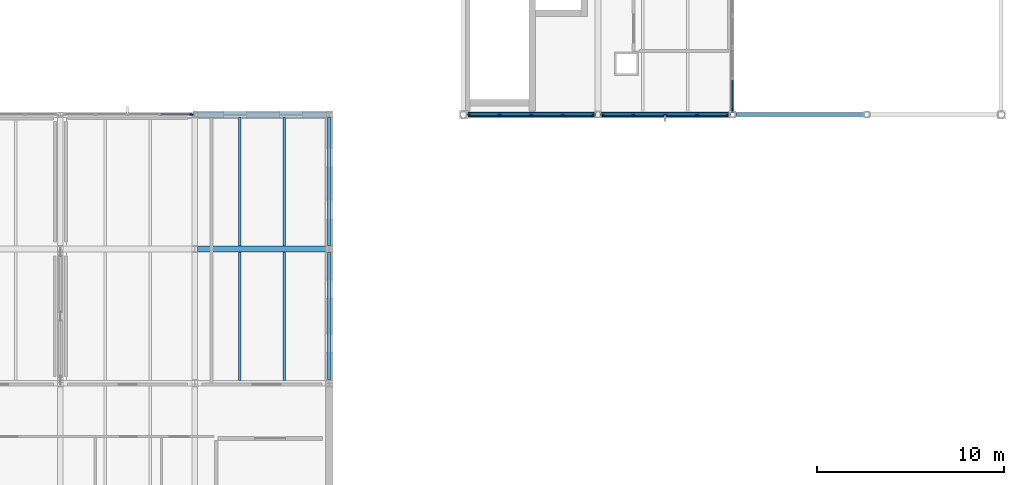
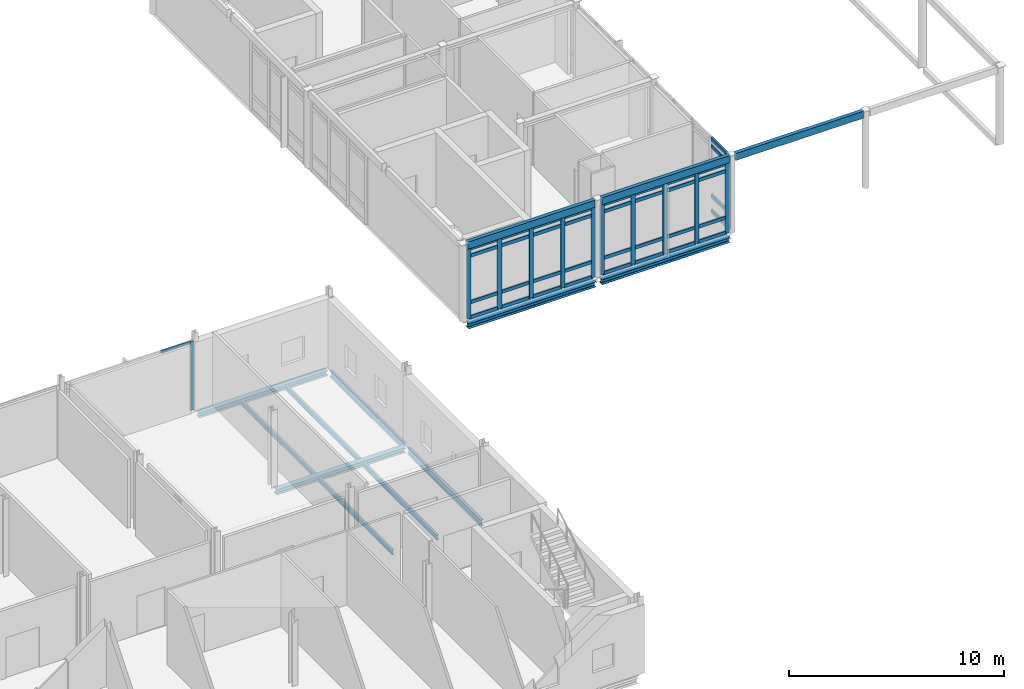
# One storey, part 23 of 72: 49 members, 13 beams, 4 elements without a shape of their own.
"""IFC4 building model written with IfcOpenShell, lengths in metres."""

from ifc_helpers import new_model, si_unit, direction, frame, origin, origin_2d, place, context, subcontext, project, spatial, rectangle, hollow_rectangle, i_section, extrude, material, layer, layer_set, material_profile, profile_set, type_object, element, aggregate, save


model = new_model("IFC4")

# Units and contexts
model_context = context("Model", 3, precision=1e-05, world=origin(), true_north=direction((0.0, 1.0)))
body_context = subcontext(model_context, "Body", "Model", "MODEL_VIEW")
ifc_project = project(units=[si_unit("LENGTHUNIT", "METRE"), si_unit("AREAUNIT", "SQUARE_METRE"), si_unit("VOLUMEUNIT", "CUBIC_METRE"), si_unit("PLANEANGLEUNIT", "RADIAN"), si_unit("MASSUNIT", "GRAM", prefix="KILO")], contexts=[model_context])

# Site, building, storey
site_placement = place(None, origin())
site = spatial("IfcSite", under=ifc_project, at=site_placement, CompositionType="ELEMENT")
building_placement = place(site_placement, origin())
building = spatial("IfcBuilding", under=site, at=building_placement, Name="Zarrinpeak Specialist Clinic", CompositionType="ELEMENT")
storey_placement = place(building_placement, frame((0.0, 0.0, 9.60009765625)))
storey = spatial("IfcBuildingStorey", under=building, at=storey_placement, Name="L02", CompositionType="ELEMENT", Elevation=9.60009765625)

# Beams
ifc_material_1 = material(Name="Steel S355", Category="steel")
ifc_material_profile_1 = material_profile(ifc_material_1, i_section(OverallWidth=0.300048828125, OverallDepth=0.2900390625, WebThickness=0.008544921875, FlangeThickness=0.013916015625, FilletRadius=0.027099609375, at=origin_2d()), Name="HEA 300")
ifc_profile_set_1 = profile_set([ifc_material_profile_1], Name="Steel S355")
beam_type_1 = type_object("IfcBeamType", Name="BM-HEA300", PredefinedType="BEAM", material=ifc_profile_set_1)
for number, where, z_axis, x_axis, name in (
    (1, (79.347900390625, 21.60009765625, -0.360107421875), (1.0, 0.0, 0.0), (0.0, 1.0, 0.0), "L02 Primary Floor Girder BM-L02-X1146"),
    (2, (79.347900390625, 28.800048828125, -0.360107421875), (1.0, 0.0, 0.0), (0.0, 1.0, 0.0), "L02 Primary Floor Girder BM-L02-X1158"),
):
    element("IfcBeam", number, at=place(storey_placement, frame(where, z_axis=z_axis, x_axis=x_axis)), inside=storey, type_object=beam_type_1, Name=name, PredefinedType="BEAM", context=body_context, shape_type="SweptSolid", body=[
        extrude(i_section(OverallWidth=0.300048828125, OverallDepth=0.2900390625, WebThickness=0.008544921875, FlangeThickness=0.013916015625, FilletRadius=0.027099609375, at=origin_2d()), origin(), (0.0, 0.0, 1.0), 6.904052734375),
    ])
beam_1_placement = place(storey_placement, frame((93.80126953125, 28.800048828125, -0.360107421875), z_axis=(1.0, 0.0, 0.0), x_axis=(0.0, 1.0, 0.0)))
element("IfcBeam", 3, at=beam_1_placement, inside=storey, type_object=beam_type_1, Name="L02 Primary Floor Girder BM-L02-X1159", PredefinedType="BEAM", context=body_context, shape_type="SweptSolid", body=[
    extrude(i_section(OverallWidth=0.300048828125, OverallDepth=0.2900390625, WebThickness=0.008544921875, FlangeThickness=0.013916015625, FilletRadius=0.027099609375, at=origin_2d()), origin(), (0.0, 0.0, 1.0), 6.838623046875),
])
beam_2_placement = place(storey_placement, frame((100.9599609375, 28.800048828125, -0.360107421875), z_axis=(1.0, 0.0, 0.0), x_axis=(0.0, 1.0, 0.0)))
element("IfcBeam", 4, at=beam_2_placement, inside=storey, type_object=beam_type_1, Name="L02 Primary Floor Girder BM-L02-X1160", PredefinedType="BEAM", context=body_context, shape_type="SweptSolid", body=[
    extrude(i_section(OverallWidth=0.300048828125, OverallDepth=0.2900390625, WebThickness=0.008544921875, FlangeThickness=0.013916015625, FilletRadius=0.027099609375, at=origin_2d()), origin(), (0.0, 0.0, 1.0), 6.880126953125),
])
ifc_material_profile_2 = material_profile(ifc_material_1, i_section(OverallWidth=0.135009765625, OverallDepth=0.27001953125, WebThickness=0.006591796875, FlangeThickness=0.01025390625, FilletRadius=0.014892578125, at=origin_2d()), Name="IPE 270")
ifc_profile_set_2 = profile_set([ifc_material_profile_2], Name="Steel S355")
beam_type_2 = type_object("IfcBeamType", Name="BM-JST270", PredefinedType="JOIST", material=ifc_profile_set_2)
for number, where, z_axis, x_axis, name in (
    (5, (81.60009765625, 14.548095703125, -0.35009765625), (0.0, 1.0, 0.0), (-1.0, 0.0, 0.0), "L02 Composite Floor Joist JST-L02-1411"),
    (6, (84.0, 14.548095703125, -0.35009765625), (0.0, 1.0, 0.0), (-1.0, 0.0, 0.0), "L02 Composite Floor Joist JST-L02-1412"),
):
    element("IfcBeam", number, at=place(storey_placement, frame(where, z_axis=z_axis, x_axis=x_axis)), inside=storey, type_object=beam_type_2, Name=name, PredefinedType="JOIST", context=body_context, shape_type="SweptSolid", body=[
        extrude(i_section(OverallWidth=0.135009765625, OverallDepth=0.27001953125, WebThickness=0.006591796875, FlangeThickness=0.01025390625, FilletRadius=0.014892578125, at=origin_2d()), origin(), (0.0, 0.0, 1.0), 6.90380859375),
    ])
for number, where, z_axis, x_axis, name in (
    (7, (81.60009765625, 21.748046875, -0.35009765625), (0.0, 1.0, 0.0), (-1.0, 0.0, 0.0), "L02 Composite Floor Joist JST-L02-1413"),
    (8, (84.0, 21.748046875, -0.35009765625), (0.0, 1.0, 0.0), (-1.0, 0.0, 0.0), "L02 Composite Floor Joist JST-L02-1414"),
):
    element("IfcBeam", number, at=place(storey_placement, frame(where, z_axis=z_axis, x_axis=x_axis)), inside=storey, type_object=beam_type_2, Name=name, PredefinedType="JOIST", context=body_context, shape_type="SweptSolid", body=[
        extrude(i_section(OverallWidth=0.135009765625, OverallDepth=0.27001953125, WebThickness=0.006591796875, FlangeThickness=0.01025390625, FilletRadius=0.014892578125, at=origin_2d()), origin(), (0.0, 0.0, 1.0), 6.904052734375),
    ])
ifc_material_profile_3 = material_profile(ifc_material_1, hollow_rectangle(XDim=0.199951171875, YDim=0.39990234375, WallThickness=0.01611328125, at=origin_2d()), Name="RHS 400x200x16.0")
ifc_profile_set_3 = profile_set([ifc_material_profile_3], Name="Steel S355")
beam_type_3 = type_object("IfcBeamType", Name="BM-RING400", PredefinedType="BEAM", material=ifc_profile_set_3)
for number, where, z_axis, x_axis, name in (
    (9, (93.780029296875, 28.800048828125, 4.199951171875), (1.0, 0.0, 0.0), (0.0, 1.0, 0.0), "V3 Gridshell Perimeter Ring Beam RB-V3-X2547"),
    (10, (100.97998046875, 28.800048828125, 4.199951171875), (1.0, 0.0, 0.0), (0.0, 1.0, 0.0), "V3 Gridshell Perimeter Ring Beam RB-V3-X2548"),
    (11, (108.179931640625, 28.800048828125, 4.199951171875), (1.0, 0.0, 0.0), (0.0, 1.0, 0.0), "V3 Gridshell Perimeter Ring Beam RB-V3-X2549"),
):
    element("IfcBeam", number, at=place(storey_placement, frame(where, z_axis=z_axis, x_axis=x_axis)), inside=storey, type_object=beam_type_3, Name=name, PredefinedType="BEAM", context=body_context, shape_type="SweptSolid", body=[
        extrude(hollow_rectangle(XDim=0.199951171875, YDim=0.39990234375, WallThickness=0.01611328125, at=origin_2d()), origin(), (0.0, 0.0, 1.0), 6.840087890625),
    ])
ifc_material_profile_4 = material_profile(ifc_material_1, i_section(OverallWidth=0.169921875, OverallDepth=0.360107421875, WebThickness=0.008056640625, FlangeThickness=0.0126953125, FilletRadius=0.01806640625, at=origin_2d()), Name="IPE 360")
ifc_profile_set_4 = profile_set([ifc_material_profile_4], Name="Steel S355")
beam_type_4 = type_object("IfcBeamType", Name="BM-SP360", PredefinedType="SPANDREL", material=ifc_profile_set_4)
beam_3_placement = place(storey_placement, frame((86.39990234375, 14.597900390625, -0.39501953125), z_axis=(0.0, 1.0, 0.0), x_axis=(-1.0, 0.0, 0.0)))
element("IfcBeam", 12, at=beam_3_placement, inside=storey, type_object=beam_type_4, Name="L02 Perimeter Spandrel Beam BM-L02-Y1321", PredefinedType="SPANDREL", context=body_context, shape_type="SweptSolid", body=[
    extrude(i_section(OverallWidth=0.169921875, OverallDepth=0.360107421875, WebThickness=0.008056640625, FlangeThickness=0.0126953125, FilletRadius=0.01806640625, at=origin_2d()), origin(), (0.0, 0.0, 1.0), 6.80419921875),
])
beam_4_placement = place(storey_placement, frame((86.39990234375, 21.798095703125, -0.39501953125), z_axis=(0.0, 1.0, 0.0), x_axis=(-1.0, 0.0, 0.0)))
element("IfcBeam", 13, at=beam_4_placement, inside=storey, type_object=beam_type_4, Name="L02 Perimeter Spandrel Beam BM-L02-Y1322", PredefinedType="SPANDREL", context=body_context, shape_type="SweptSolid", body=[
    extrude(i_section(OverallWidth=0.169921875, OverallDepth=0.360107421875, WebThickness=0.008056640625, FlangeThickness=0.0126953125, FilletRadius=0.01806640625, at=origin_2d()), origin(), (0.0, 0.0, 1.0), 6.843994140625),
])

# Curtain wall, member
ifc_material_2 = material(Name="Anodised Aluminium Alloy 6063-T6", Category="aluminium")
ifc_layer_1 = layer(ifc_material_2, 0.179931640625)
ifc_layer_set_1 = layer_set([ifc_layer_1], Name="Anodised Aluminium Alloy 6063-T6")
curtain_wall_type_1 = type_object("IfcCurtainWallType", Name="CW-COURT", PredefinedType="NOTDEFINED", material=ifc_layer_set_1)
curtain_wall_1_placement = place(storey_placement, origin())
curtain_wall_1 = element("IfcCurtainWall", 14, at=curtain_wall_1_placement, inside=storey, type_object=curtain_wall_type_1, Name="L02 V4 Unitised Curtain Wall CW-L02-V4-074", PredefinedType="NOTDEFINED")
ifc_material_profile_5 = material_profile(ifc_material_2, rectangle(XDim=0.074951171875, YDim=0.179931640625, at=origin_2d()), Name="ALU 75x180")
ifc_profile_set_5 = profile_set([ifc_material_profile_5], Name="Anodised Aluminium Alloy 6063-T6")
member_type_1 = type_object("IfcMemberType", Name="CWM-75", PredefinedType="MULLION", material=ifc_profile_set_5)
member_1_placement = place(storey_placement, frame((79.017578125, 28.800048828125, 0.0), z_axis=(0.0, 0.0, 1.0), x_axis=(0.0, -1.0, 0.0)))
member_1 = element("IfcMember", 15, at=member_1_placement, type_object=member_type_1, Name="CW-01 mullion 1", PredefinedType="MULLION", context=body_context, shape_type="SweptSolid", body=[
    extrude(rectangle(XDim=0.074951171875, YDim=0.179931640625, at=origin_2d()), origin(), (0.0, 0.0, 1.0), 3.89990234375),
])

# Curtain wall, members
ifc_layer_2 = layer(ifc_material_2, 0.199951171875)
ifc_layer_set_2 = layer_set([ifc_layer_2], Name="Anodised Aluminium Alloy 6063-T6")
curtain_wall_type_2 = type_object("IfcCurtainWallType", Name="CW-HALL", PredefinedType="NOTDEFINED", material=ifc_layer_set_2)
curtain_wall_2_placement = place(storey_placement, origin())
curtain_wall_2 = element("IfcCurtainWall", 16, at=curtain_wall_2_placement, inside=storey, type_object=curtain_wall_type_2, Name="L02 V3 Unitised Curtain Wall CW-L02-V3-111", PredefinedType="NOTDEFINED")
ifc_material_profile_6 = material_profile(ifc_material_2, rectangle(XDim=0.090087890625, YDim=0.219970703125, at=origin_2d()), Name="ALU 90x220")
ifc_profile_set_6 = profile_set([ifc_material_profile_6], Name="Anodised Aluminium Alloy 6063-T6")
member_type_2 = type_object("IfcMemberType", Name="CWM-90", PredefinedType="MULLION", material=ifc_profile_set_6)
member_2_placement = place(storey_placement, frame((93.873291015625, 28.800048828125, 0.0), z_axis=(0.0, 0.0, 1.0), x_axis=(0.0, 1.0, 0.0)))
member_2 = element("IfcMember", 17, at=member_2_placement, type_object=member_type_2, Name="CW-02 mullion 1", PredefinedType="MULLION", context=body_context, shape_type="SweptSolid", body=[
    extrude(rectangle(XDim=0.090087890625, YDim=0.219970703125, at=origin_2d()), origin(), (0.0, 0.0, 1.0), 3.98486328125),
])
member_3_placement = place(storey_placement, frame((95.5244140625, 28.800048828125, 0.0), z_axis=(0.0, 0.0, 1.0), x_axis=(0.0, 1.0, 0.0)))
member_3 = element("IfcMember", 18, at=member_3_placement, type_object=member_type_2, Name="CW-02 mullion 2", PredefinedType="MULLION", context=body_context, shape_type="SweptSolid", body=[
    extrude(rectangle(XDim=0.090087890625, YDim=0.219970703125, at=origin_2d()), origin(), (0.0, 0.0, 1.0), 3.98486328125),
])
member_4_placement = place(storey_placement, frame((97.220703125, 28.800048828125, 0.0), z_axis=(0.0, 0.0, 1.0), x_axis=(0.0, 1.0, 0.0)))
member_4 = element("IfcMember", 19, at=member_4_placement, type_object=member_type_2, Name="CW-02 mullion 3", PredefinedType="MULLION", context=body_context, shape_type="SweptSolid", body=[
    extrude(rectangle(XDim=0.090087890625, YDim=0.219970703125, at=origin_2d()), origin(), (0.0, 0.0, 1.0), 3.98486328125),
])
member_5_placement = place(storey_placement, frame((98.9169921875, 28.800048828125, 0.0), z_axis=(0.0, 0.0, 1.0), x_axis=(0.0, 1.0, 0.0)))
member_5 = element("IfcMember", 20, at=member_5_placement, type_object=member_type_2, Name="CW-02 mullion 4", PredefinedType="MULLION", context=body_context, shape_type="SweptSolid", body=[
    extrude(rectangle(XDim=0.090087890625, YDim=0.219970703125, at=origin_2d()), origin(), (0.0, 0.0, 1.0), 3.98486328125),
])
member_6_placement = place(storey_placement, frame((100.568115234375, 28.800048828125, 0.0), z_axis=(0.0, 0.0, 1.0), x_axis=(0.0, 1.0, 0.0)))
member_6 = element("IfcMember", 21, at=member_6_placement, type_object=member_type_2, Name="CW-02 mullion 5", PredefinedType="MULLION", context=body_context, shape_type="SweptSolid", body=[
    extrude(rectangle(XDim=0.090087890625, YDim=0.219970703125, at=origin_2d()), origin(), (0.0, 0.0, 1.0), 3.98486328125),
])

curtain_wall_3_placement = place(storey_placement, origin())
curtain_wall_3 = element("IfcCurtainWall", 22, at=curtain_wall_3_placement, inside=storey, type_object=curtain_wall_type_2, Name="L02 V3 Unitised Curtain Wall CW-L02-V3-112", PredefinedType="NOTDEFINED")
member_7_placement = place(storey_placement, frame((101.031982421875, 28.800048828125, 0.0), z_axis=(0.0, 0.0, 1.0), x_axis=(0.0, 1.0, 0.0)))
member_7 = element("IfcMember", 23, at=member_7_placement, type_object=member_type_2, Name="CW-02 mullion 1", PredefinedType="MULLION", context=body_context, shape_type="SweptSolid", body=[
    extrude(rectangle(XDim=0.090087890625, YDim=0.219970703125, at=origin_2d()), origin(), (0.0, 0.0, 1.0), 3.98486328125),
])
member_8_placement = place(storey_placement, frame((102.693359375, 28.800048828125, 0.0), z_axis=(0.0, 0.0, 1.0), x_axis=(0.0, 1.0, 0.0)))
member_8 = element("IfcMember", 24, at=member_8_placement, type_object=member_type_2, Name="CW-02 mullion 2", PredefinedType="MULLION", context=body_context, shape_type="SweptSolid", body=[
    extrude(rectangle(XDim=0.090087890625, YDim=0.219970703125, at=origin_2d()), origin(), (0.0, 0.0, 1.0), 3.98486328125),
])
member_9_placement = place(storey_placement, frame((104.39990234375, 28.800048828125, 0.0), z_axis=(0.0, 0.0, 1.0), x_axis=(0.0, 1.0, 0.0)))
member_9 = element("IfcMember", 25, at=member_9_placement, type_object=member_type_2, Name="CW-02 mullion 3", PredefinedType="MULLION", context=body_context, shape_type="SweptSolid", body=[
    extrude(rectangle(XDim=0.090087890625, YDim=0.219970703125, at=origin_2d()), origin(), (0.0, 0.0, 1.0), 3.98486328125),
])
member_10_placement = place(storey_placement, frame((106.1064453125, 28.800048828125, 0.0), z_axis=(0.0, 0.0, 1.0), x_axis=(0.0, 1.0, 0.0)))
member_10 = element("IfcMember", 26, at=member_10_placement, type_object=member_type_2, Name="CW-02 mullion 4", PredefinedType="MULLION", context=body_context, shape_type="SweptSolid", body=[
    extrude(rectangle(XDim=0.090087890625, YDim=0.219970703125, at=origin_2d()), origin(), (0.0, 0.0, 1.0), 3.98486328125),
])
member_11_placement = place(storey_placement, frame((107.76806640625, 28.800048828125, 0.0), z_axis=(0.0, 0.0, 1.0), x_axis=(0.0, 1.0, 0.0)))
member_11 = element("IfcMember", 27, at=member_11_placement, type_object=member_type_2, Name="CW-02 mullion 5", PredefinedType="MULLION", context=body_context, shape_type="SweptSolid", body=[
    extrude(rectangle(XDim=0.090087890625, YDim=0.219970703125, at=origin_2d()), origin(), (0.0, 0.0, 1.0), 3.98486328125),
])

# Curtain wall, member
curtain_wall_4_placement = place(storey_placement, origin())
curtain_wall_4 = element("IfcCurtainWall", 28, at=curtain_wall_4_placement, inside=storey, type_object=curtain_wall_type_2, Name="L02 V3 Unitised Curtain Wall CW-L02-V3-117", PredefinedType="NOTDEFINED")
member_12_placement = place(storey_placement, frame((108.0, 29.031982421875, 0.0), z_axis=(0.0, 0.0, 1.0), x_axis=(-1.0, 0.0, 0.0)))
member_12 = element("IfcMember", 29, at=member_12_placement, type_object=member_type_2, Name="CW-02 mullion 1", PredefinedType="MULLION", context=body_context, shape_type="SweptSolid", body=[
    extrude(rectangle(XDim=0.090087890625, YDim=0.219970703125, at=origin_2d()), origin(), (0.0, 0.0, 1.0), 4.179931640625),
])

# Member
ifc_material_profile_7 = material_profile(ifc_material_2, rectangle(XDim=0.074951171875, YDim=0.159912109375, at=origin_2d()), Name="ALU 75x160")
ifc_profile_set_7 = profile_set([ifc_material_profile_7], Name="Anodised Aluminium Alloy 6063-T6")
member_type_3 = type_object("IfcMemberType", Name="CWT-75", PredefinedType="USERDEFINED", material=ifc_profile_set_7)
member_13_placement = place(storey_placement, frame((78.97998046875, 28.800048828125, 3.8623046875), z_axis=(-1.0, 0.0, 0.0), x_axis=(0.0, -1.0, 0.0)))
member_13 = element("IfcMember", 30, at=member_13_placement, type_object=member_type_3, Name="CW-01 transom 1.4", ObjectType="TRANSOM", PredefinedType="USERDEFINED", context=body_context, shape_type="SweptSolid", body=[
    extrude(rectangle(XDim=0.074951171875, YDim=0.159912109375, at=origin_2d()), origin(), (0.0, 0.0, 1.0), 1.614990234375),
])

aggregate(curtain_wall_1, [member_1, member_13])

ifc_material_profile_8 = material_profile(ifc_material_2, rectangle(XDim=0.090087890625, YDim=0.18994140625, at=origin_2d()), Name="ALU 90x190")
ifc_profile_set_8 = profile_set([ifc_material_profile_8], Name="Anodised Aluminium Alloy 6063-T6")
member_type_4 = type_object("IfcMemberType", Name="CWT-90", PredefinedType="USERDEFINED", material=ifc_profile_set_8)
member_14_placement = place(storey_placement, frame((93.918212890625, 28.800048828125, 0.044921875), z_axis=(1.0, 0.0, 0.0), x_axis=(0.0, 1.0, 0.0)))
member_14 = element("IfcMember", 31, at=member_14_placement, type_object=member_type_4, Name="CW-02 transom 1.1", ObjectType="TRANSOM", PredefinedType="USERDEFINED", context=body_context, shape_type="SweptSolid", body=[
    extrude(rectangle(XDim=0.090087890625, YDim=0.18994140625, at=origin_2d()), origin(), (0.0, 0.0, 1.0), 1.561279296875),
])

member_15_placement = place(storey_placement, frame((93.918212890625, 28.800048828125, 0.89990234375), z_axis=(1.0, 0.0, 0.0), x_axis=(0.0, 1.0, 0.0)))
member_15 = element("IfcMember", 32, at=member_15_placement, type_object=member_type_4, Name="CW-02 transom 1.2", ObjectType="TRANSOM", PredefinedType="USERDEFINED", context=body_context, shape_type="SweptSolid", body=[
    extrude(rectangle(XDim=0.090087890625, YDim=0.18994140625, at=origin_2d()), origin(), (0.0, 0.0, 1.0), 1.561279296875),
])

member_16_placement = place(storey_placement, frame((93.918212890625, 28.800048828125, 3.534912109375), z_axis=(1.0, 0.0, 0.0), x_axis=(0.0, 1.0, 0.0)))
member_16 = element("IfcMember", 33, at=member_16_placement, type_object=member_type_4, Name="CW-02 transom 1.3", ObjectType="TRANSOM", PredefinedType="USERDEFINED", context=body_context, shape_type="SweptSolid", body=[
    extrude(rectangle(XDim=0.090087890625, YDim=0.18994140625, at=origin_2d()), origin(), (0.0, 0.0, 1.0), 1.561279296875),
])

member_17_placement = place(storey_placement, frame((93.918212890625, 28.800048828125, 3.93994140625), z_axis=(1.0, 0.0, 0.0), x_axis=(0.0, 1.0, 0.0)))
member_17 = element("IfcMember", 34, at=member_17_placement, type_object=member_type_4, Name="CW-02 transom 1.4", ObjectType="TRANSOM", PredefinedType="USERDEFINED", context=body_context, shape_type="SweptSolid", body=[
    extrude(rectangle(XDim=0.090087890625, YDim=0.18994140625, at=origin_2d()), origin(), (0.0, 0.0, 1.0), 1.561279296875),
])

member_18_placement = place(storey_placement, frame((95.5693359375, 28.800048828125, 0.044921875), z_axis=(1.0, 0.0, 0.0), x_axis=(0.0, 1.0, 0.0)))
member_18 = element("IfcMember", 35, at=member_18_placement, type_object=member_type_4, Name="CW-02 transom 2.1", ObjectType="TRANSOM", PredefinedType="USERDEFINED", context=body_context, shape_type="SweptSolid", body=[
    extrude(rectangle(XDim=0.090087890625, YDim=0.18994140625, at=origin_2d()), origin(), (0.0, 0.0, 1.0), 1.606201171875),
])

member_19_placement = place(storey_placement, frame((95.5693359375, 28.800048828125, 0.89990234375), z_axis=(1.0, 0.0, 0.0), x_axis=(0.0, 1.0, 0.0)))
member_19 = element("IfcMember", 36, at=member_19_placement, type_object=member_type_4, Name="CW-02 transom 2.2", ObjectType="TRANSOM", PredefinedType="USERDEFINED", context=body_context, shape_type="SweptSolid", body=[
    extrude(rectangle(XDim=0.090087890625, YDim=0.18994140625, at=origin_2d()), origin(), (0.0, 0.0, 1.0), 1.606201171875),
])

member_20_placement = place(storey_placement, frame((95.5693359375, 28.800048828125, 3.534912109375), z_axis=(1.0, 0.0, 0.0), x_axis=(0.0, 1.0, 0.0)))
member_20 = element("IfcMember", 37, at=member_20_placement, type_object=member_type_4, Name="CW-02 transom 2.3", ObjectType="TRANSOM", PredefinedType="USERDEFINED", context=body_context, shape_type="SweptSolid", body=[
    extrude(rectangle(XDim=0.090087890625, YDim=0.18994140625, at=origin_2d()), origin(), (0.0, 0.0, 1.0), 1.606201171875),
])

member_21_placement = place(storey_placement, frame((95.5693359375, 28.800048828125, 3.93994140625), z_axis=(1.0, 0.0, 0.0), x_axis=(0.0, 1.0, 0.0)))
member_21 = element("IfcMember", 38, at=member_21_placement, type_object=member_type_4, Name="CW-02 transom 2.4", ObjectType="TRANSOM", PredefinedType="USERDEFINED", context=body_context, shape_type="SweptSolid", body=[
    extrude(rectangle(XDim=0.090087890625, YDim=0.18994140625, at=origin_2d()), origin(), (0.0, 0.0, 1.0), 1.606201171875),
])

member_22_placement = place(storey_placement, frame((97.265625, 28.800048828125, 0.044921875), z_axis=(1.0, 0.0, 0.0), x_axis=(0.0, 1.0, 0.0)))
member_22 = element("IfcMember", 39, at=member_22_placement, type_object=member_type_4, Name="CW-02 transom 3.1", ObjectType="TRANSOM", PredefinedType="USERDEFINED", context=body_context, shape_type="SweptSolid", body=[
    extrude(rectangle(XDim=0.090087890625, YDim=0.18994140625, at=origin_2d()), origin(), (0.0, 0.0, 1.0), 1.606201171875),
])

member_23_placement = place(storey_placement, frame((97.265625, 28.800048828125, 0.89990234375), z_axis=(1.0, 0.0, 0.0), x_axis=(0.0, 1.0, 0.0)))
member_23 = element("IfcMember", 40, at=member_23_placement, type_object=member_type_4, Name="CW-02 transom 3.2", ObjectType="TRANSOM", PredefinedType="USERDEFINED", context=body_context, shape_type="SweptSolid", body=[
    extrude(rectangle(XDim=0.090087890625, YDim=0.18994140625, at=origin_2d()), origin(), (0.0, 0.0, 1.0), 1.606201171875),
])

member_24_placement = place(storey_placement, frame((97.265625, 28.800048828125, 3.534912109375), z_axis=(1.0, 0.0, 0.0), x_axis=(0.0, 1.0, 0.0)))
member_24 = element("IfcMember", 41, at=member_24_placement, type_object=member_type_4, Name="CW-02 transom 3.3", ObjectType="TRANSOM", PredefinedType="USERDEFINED", context=body_context, shape_type="SweptSolid", body=[
    extrude(rectangle(XDim=0.090087890625, YDim=0.18994140625, at=origin_2d()), origin(), (0.0, 0.0, 1.0), 1.606201171875),
])

member_25_placement = place(storey_placement, frame((97.265625, 28.800048828125, 3.93994140625), z_axis=(1.0, 0.0, 0.0), x_axis=(0.0, 1.0, 0.0)))
member_25 = element("IfcMember", 42, at=member_25_placement, type_object=member_type_4, Name="CW-02 transom 3.4", ObjectType="TRANSOM", PredefinedType="USERDEFINED", context=body_context, shape_type="SweptSolid", body=[
    extrude(rectangle(XDim=0.090087890625, YDim=0.18994140625, at=origin_2d()), origin(), (0.0, 0.0, 1.0), 1.606201171875),
])

member_26_placement = place(storey_placement, frame((98.9619140625, 28.800048828125, 0.044921875), z_axis=(1.0, 0.0, 0.0), x_axis=(0.0, 1.0, 0.0)))
member_26 = element("IfcMember", 43, at=member_26_placement, type_object=member_type_4, Name="CW-02 transom 4.1", ObjectType="TRANSOM", PredefinedType="USERDEFINED", context=body_context, shape_type="SweptSolid", body=[
    extrude(rectangle(XDim=0.090087890625, YDim=0.18994140625, at=origin_2d()), origin(), (0.0, 0.0, 1.0), 1.561279296875),
])

member_27_placement = place(storey_placement, frame((98.9619140625, 28.800048828125, 0.89990234375), z_axis=(1.0, 0.0, 0.0), x_axis=(0.0, 1.0, 0.0)))
member_27 = element("IfcMember", 44, at=member_27_placement, type_object=member_type_4, Name="CW-02 transom 4.2", ObjectType="TRANSOM", PredefinedType="USERDEFINED", context=body_context, shape_type="SweptSolid", body=[
    extrude(rectangle(XDim=0.090087890625, YDim=0.18994140625, at=origin_2d()), origin(), (0.0, 0.0, 1.0), 1.561279296875),
])

member_28_placement = place(storey_placement, frame((98.9619140625, 28.800048828125, 3.534912109375), z_axis=(1.0, 0.0, 0.0), x_axis=(0.0, 1.0, 0.0)))
member_28 = element("IfcMember", 45, at=member_28_placement, type_object=member_type_4, Name="CW-02 transom 4.3", ObjectType="TRANSOM", PredefinedType="USERDEFINED", context=body_context, shape_type="SweptSolid", body=[
    extrude(rectangle(XDim=0.090087890625, YDim=0.18994140625, at=origin_2d()), origin(), (0.0, 0.0, 1.0), 1.561279296875),
])

member_29_placement = place(storey_placement, frame((98.9619140625, 28.800048828125, 3.93994140625), z_axis=(1.0, 0.0, 0.0), x_axis=(0.0, 1.0, 0.0)))
member_29 = element("IfcMember", 46, at=member_29_placement, type_object=member_type_4, Name="CW-02 transom 4.4", ObjectType="TRANSOM", PredefinedType="USERDEFINED", context=body_context, shape_type="SweptSolid", body=[
    extrude(rectangle(XDim=0.090087890625, YDim=0.18994140625, at=origin_2d()), origin(), (0.0, 0.0, 1.0), 1.561279296875),
])

aggregate(curtain_wall_2, [member_2, member_3, member_4, member_5, member_6, member_14, member_15, member_16, member_17, member_18, member_19, member_20, member_21, member_22, member_23, member_24, member_25, member_26, member_27, member_28, member_29])

member_30_placement = place(storey_placement, frame((101.076904296875, 28.800048828125, 0.044921875), z_axis=(1.0, 0.0, 0.0), x_axis=(0.0, 1.0, 0.0)))
member_30 = element("IfcMember", 47, at=member_30_placement, type_object=member_type_4, Name="CW-02 transom 1.1", ObjectType="TRANSOM", PredefinedType="USERDEFINED", context=body_context, shape_type="SweptSolid", body=[
    extrude(rectangle(XDim=0.090087890625, YDim=0.18994140625, at=origin_2d()), origin(), (0.0, 0.0, 1.0), 1.571533203125),
])

member_31_placement = place(storey_placement, frame((101.076904296875, 28.800048828125, 0.89990234375), z_axis=(1.0, 0.0, 0.0), x_axis=(0.0, 1.0, 0.0)))
member_31 = element("IfcMember", 48, at=member_31_placement, type_object=member_type_4, Name="CW-02 transom 1.2", ObjectType="TRANSOM", PredefinedType="USERDEFINED", context=body_context, shape_type="SweptSolid", body=[
    extrude(rectangle(XDim=0.090087890625, YDim=0.18994140625, at=origin_2d()), origin(), (0.0, 0.0, 1.0), 1.571533203125),
])

member_32_placement = place(storey_placement, frame((101.076904296875, 28.800048828125, 3.534912109375), z_axis=(1.0, 0.0, 0.0), x_axis=(0.0, 1.0, 0.0)))
member_32 = element("IfcMember", 49, at=member_32_placement, type_object=member_type_4, Name="CW-02 transom 1.3", ObjectType="TRANSOM", PredefinedType="USERDEFINED", context=body_context, shape_type="SweptSolid", body=[
    extrude(rectangle(XDim=0.090087890625, YDim=0.18994140625, at=origin_2d()), origin(), (0.0, 0.0, 1.0), 1.571533203125),
])

member_33_placement = place(storey_placement, frame((101.076904296875, 28.800048828125, 3.93994140625), z_axis=(1.0, 0.0, 0.0), x_axis=(0.0, 1.0, 0.0)))
member_33 = element("IfcMember", 50, at=member_33_placement, type_object=member_type_4, Name="CW-02 transom 1.4", ObjectType="TRANSOM", PredefinedType="USERDEFINED", context=body_context, shape_type="SweptSolid", body=[
    extrude(rectangle(XDim=0.090087890625, YDim=0.18994140625, at=origin_2d()), origin(), (0.0, 0.0, 1.0), 1.571533203125),
])

member_34_placement = place(storey_placement, frame((102.738525390625, 28.800048828125, 0.044921875), z_axis=(1.0, 0.0, 0.0), x_axis=(0.0, 1.0, 0.0)))
member_34 = element("IfcMember", 51, at=member_34_placement, type_object=member_type_4, Name="CW-02 transom 2.1", ObjectType="TRANSOM", PredefinedType="USERDEFINED", context=body_context, shape_type="SweptSolid", body=[
    extrude(rectangle(XDim=0.090087890625, YDim=0.18994140625, at=origin_2d()), origin(), (0.0, 0.0, 1.0), 1.616455078125),
])

member_35_placement = place(storey_placement, frame((102.738525390625, 28.800048828125, 0.89990234375), z_axis=(1.0, 0.0, 0.0), x_axis=(0.0, 1.0, 0.0)))
member_35 = element("IfcMember", 52, at=member_35_placement, type_object=member_type_4, Name="CW-02 transom 2.2", ObjectType="TRANSOM", PredefinedType="USERDEFINED", context=body_context, shape_type="SweptSolid", body=[
    extrude(rectangle(XDim=0.090087890625, YDim=0.18994140625, at=origin_2d()), origin(), (0.0, 0.0, 1.0), 1.616455078125),
])

member_36_placement = place(storey_placement, frame((102.738525390625, 28.800048828125, 3.534912109375), z_axis=(1.0, 0.0, 0.0), x_axis=(0.0, 1.0, 0.0)))
member_36 = element("IfcMember", 53, at=member_36_placement, type_object=member_type_4, Name="CW-02 transom 2.3", ObjectType="TRANSOM", PredefinedType="USERDEFINED", context=body_context, shape_type="SweptSolid", body=[
    extrude(rectangle(XDim=0.090087890625, YDim=0.18994140625, at=origin_2d()), origin(), (0.0, 0.0, 1.0), 1.616455078125),
])

member_37_placement = place(storey_placement, frame((102.738525390625, 28.800048828125, 3.93994140625), z_axis=(1.0, 0.0, 0.0), x_axis=(0.0, 1.0, 0.0)))
member_37 = element("IfcMember", 54, at=member_37_placement, type_object=member_type_4, Name="CW-02 transom 2.4", ObjectType="TRANSOM", PredefinedType="USERDEFINED", context=body_context, shape_type="SweptSolid", body=[
    extrude(rectangle(XDim=0.090087890625, YDim=0.18994140625, at=origin_2d()), origin(), (0.0, 0.0, 1.0), 1.616455078125),
])

member_38_placement = place(storey_placement, frame((104.445068359375, 28.800048828125, 0.044921875), z_axis=(1.0, 0.0, 0.0), x_axis=(0.0, 1.0, 0.0)))
member_38 = element("IfcMember", 55, at=member_38_placement, type_object=member_type_4, Name="CW-02 transom 3.1", ObjectType="TRANSOM", PredefinedType="USERDEFINED", context=body_context, shape_type="SweptSolid", body=[
    extrude(rectangle(XDim=0.090087890625, YDim=0.18994140625, at=origin_2d()), origin(), (0.0, 0.0, 1.0), 1.616455078125),
])

member_39_placement = place(storey_placement, frame((104.445068359375, 28.800048828125, 0.89990234375), z_axis=(1.0, 0.0, 0.0), x_axis=(0.0, 1.0, 0.0)))
member_39 = element("IfcMember", 56, at=member_39_placement, type_object=member_type_4, Name="CW-02 transom 3.2", ObjectType="TRANSOM", PredefinedType="USERDEFINED", context=body_context, shape_type="SweptSolid", body=[
    extrude(rectangle(XDim=0.090087890625, YDim=0.18994140625, at=origin_2d()), origin(), (0.0, 0.0, 1.0), 1.616455078125),
])

member_40_placement = place(storey_placement, frame((104.445068359375, 28.800048828125, 3.534912109375), z_axis=(1.0, 0.0, 0.0), x_axis=(0.0, 1.0, 0.0)))
member_40 = element("IfcMember", 57, at=member_40_placement, type_object=member_type_4, Name="CW-02 transom 3.3", ObjectType="TRANSOM", PredefinedType="USERDEFINED", context=body_context, shape_type="SweptSolid", body=[
    extrude(rectangle(XDim=0.090087890625, YDim=0.18994140625, at=origin_2d()), origin(), (0.0, 0.0, 1.0), 1.616455078125),
])

member_41_placement = place(storey_placement, frame((104.445068359375, 28.800048828125, 3.93994140625), z_axis=(1.0, 0.0, 0.0), x_axis=(0.0, 1.0, 0.0)))
member_41 = element("IfcMember", 58, at=member_41_placement, type_object=member_type_4, Name="CW-02 transom 3.4", ObjectType="TRANSOM", PredefinedType="USERDEFINED", context=body_context, shape_type="SweptSolid", body=[
    extrude(rectangle(XDim=0.090087890625, YDim=0.18994140625, at=origin_2d()), origin(), (0.0, 0.0, 1.0), 1.616455078125),
])

member_42_placement = place(storey_placement, frame((106.151611328125, 28.800048828125, 0.044921875), z_axis=(1.0, 0.0, 0.0), x_axis=(0.0, 1.0, 0.0)))
member_42 = element("IfcMember", 59, at=member_42_placement, type_object=member_type_4, Name="CW-02 transom 4.1", ObjectType="TRANSOM", PredefinedType="USERDEFINED", context=body_context, shape_type="SweptSolid", body=[
    extrude(rectangle(XDim=0.090087890625, YDim=0.18994140625, at=origin_2d()), origin(), (0.0, 0.0, 1.0), 1.571533203125),
])

member_43_placement = place(storey_placement, frame((106.151611328125, 28.800048828125, 0.89990234375), z_axis=(1.0, 0.0, 0.0), x_axis=(0.0, 1.0, 0.0)))
member_43 = element("IfcMember", 60, at=member_43_placement, type_object=member_type_4, Name="CW-02 transom 4.2", ObjectType="TRANSOM", PredefinedType="USERDEFINED", context=body_context, shape_type="SweptSolid", body=[
    extrude(rectangle(XDim=0.090087890625, YDim=0.18994140625, at=origin_2d()), origin(), (0.0, 0.0, 1.0), 1.571533203125),
])

member_44_placement = place(storey_placement, frame((106.151611328125, 28.800048828125, 3.534912109375), z_axis=(1.0, 0.0, 0.0), x_axis=(0.0, 1.0, 0.0)))
member_44 = element("IfcMember", 61, at=member_44_placement, type_object=member_type_4, Name="CW-02 transom 4.3", ObjectType="TRANSOM", PredefinedType="USERDEFINED", context=body_context, shape_type="SweptSolid", body=[
    extrude(rectangle(XDim=0.090087890625, YDim=0.18994140625, at=origin_2d()), origin(), (0.0, 0.0, 1.0), 1.571533203125),
])

member_45_placement = place(storey_placement, frame((106.151611328125, 28.800048828125, 3.93994140625), z_axis=(1.0, 0.0, 0.0), x_axis=(0.0, 1.0, 0.0)))
member_45 = element("IfcMember", 62, at=member_45_placement, type_object=member_type_4, Name="CW-02 transom 4.4", ObjectType="TRANSOM", PredefinedType="USERDEFINED", context=body_context, shape_type="SweptSolid", body=[
    extrude(rectangle(XDim=0.090087890625, YDim=0.18994140625, at=origin_2d()), origin(), (0.0, 0.0, 1.0), 1.571533203125),
])

aggregate(curtain_wall_3, [member_7, member_8, member_9, member_10, member_11, member_30, member_31, member_32, member_33, member_34, member_35, member_36, member_37, member_38, member_39, member_40, member_41, member_42, member_43, member_44, member_45])

member_46_placement = place(storey_placement, frame((108.0, 29.076904296875, 0.044921875), z_axis=(0.0, 1.0, 0.0), x_axis=(-1.0, 0.0, 0.0)))
member_46 = element("IfcMember", 63, at=member_46_placement, type_object=member_type_4, Name="CW-02 transom 1.1", ObjectType="TRANSOM", PredefinedType="USERDEFINED", context=body_context, shape_type="SweptSolid", body=[
    extrude(rectangle(XDim=0.090087890625, YDim=0.18994140625, at=origin_2d()), origin(), (0.0, 0.0, 1.0), 1.571533203125),
])

member_47_placement = place(storey_placement, frame((108.0, 29.076904296875, 0.89990234375), z_axis=(0.0, 1.0, 0.0), x_axis=(-1.0, 0.0, 0.0)))
member_47 = element("IfcMember", 64, at=member_47_placement, type_object=member_type_4, Name="CW-02 transom 1.2", ObjectType="TRANSOM", PredefinedType="USERDEFINED", context=body_context, shape_type="SweptSolid", body=[
    extrude(rectangle(XDim=0.090087890625, YDim=0.18994140625, at=origin_2d()), origin(), (0.0, 0.0, 1.0), 1.571533203125),
])

member_48_placement = place(storey_placement, frame((108.0, 29.076904296875, 3.72998046875), z_axis=(0.0, 1.0, 0.0), x_axis=(-1.0, 0.0, 0.0)))
member_48 = element("IfcMember", 65, at=member_48_placement, type_object=member_type_4, Name="CW-02 transom 1.3", ObjectType="TRANSOM", PredefinedType="USERDEFINED", context=body_context, shape_type="SweptSolid", body=[
    extrude(rectangle(XDim=0.090087890625, YDim=0.18994140625, at=origin_2d()), origin(), (0.0, 0.0, 1.0), 1.571533203125),
])

member_49_placement = place(storey_placement, frame((108.0, 29.076904296875, 4.135009765625), z_axis=(0.0, 1.0, 0.0), x_axis=(-1.0, 0.0, 0.0)))
member_49 = element("IfcMember", 66, at=member_49_placement, type_object=member_type_4, Name="CW-02 transom 1.4", ObjectType="TRANSOM", PredefinedType="USERDEFINED", context=body_context, shape_type="SweptSolid", body=[
    extrude(rectangle(XDim=0.090087890625, YDim=0.18994140625, at=origin_2d()), origin(), (0.0, 0.0, 1.0), 1.571533203125),
])

aggregate(curtain_wall_4, [member_12, member_46, member_47, member_48, member_49])

save(model, "model.ifc")
